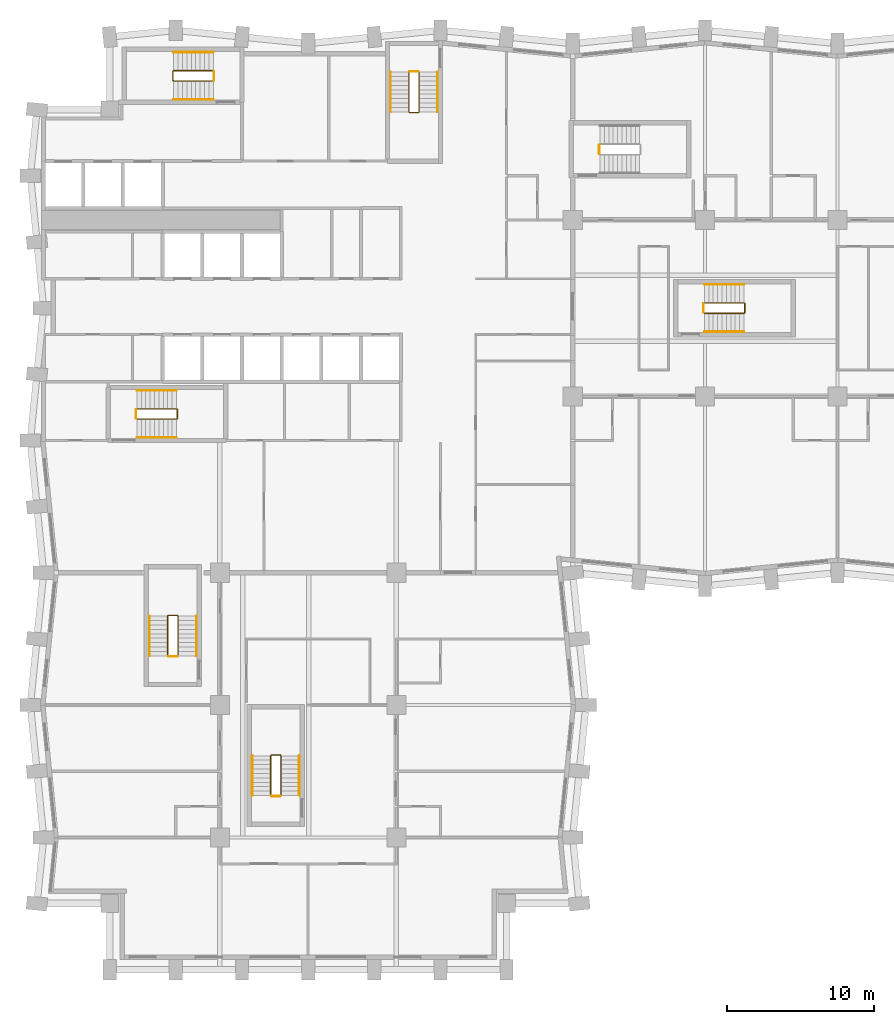
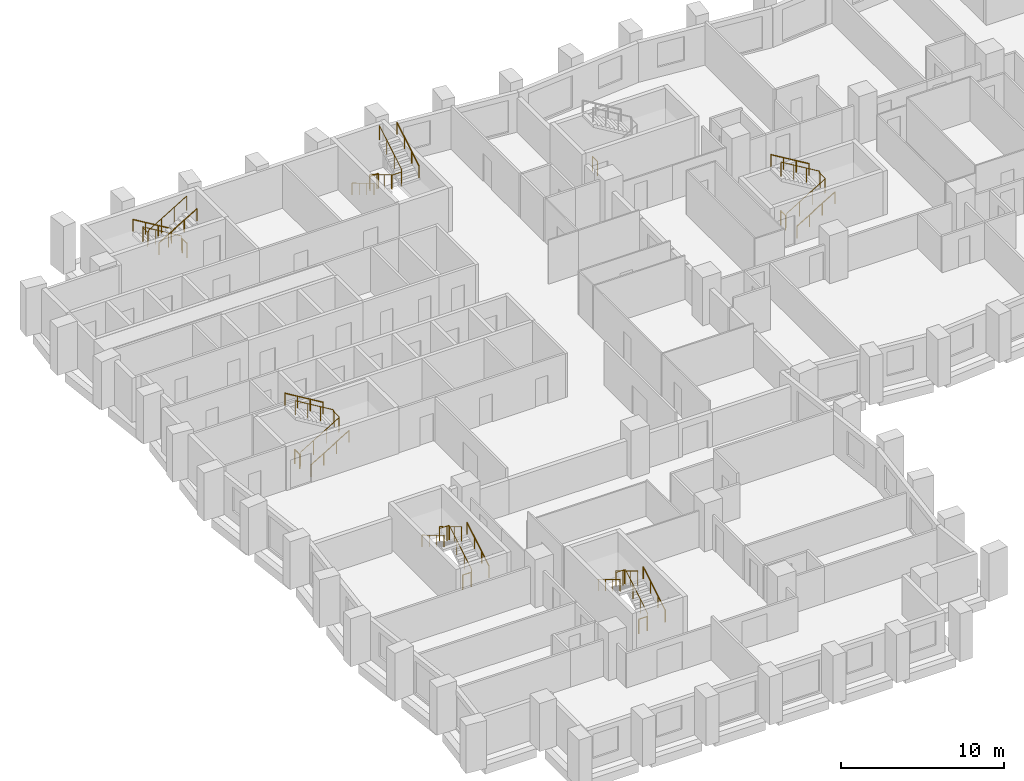
# One storey, part 11 of 12: 25 railings.
"""IFC4 building model written with IfcOpenShell, lengths in metres."""

from ifc_helpers import new_model, si_unit, direction, frame, origin, origin_2d, place, context, subcontext, project, spatial, circle, extrude, material, type_object, element, save


model = new_model("IFC4")

# Units and contexts
model_context = context("Model", 3, precision=1e-05, world=origin(), true_north=direction((0.0, 1.0)))
body_context = subcontext(model_context, "Body", "Model", "MODEL_VIEW")
ifc_project = project(units=[si_unit("LENGTHUNIT", "METRE"), si_unit("AREAUNIT", "SQUARE_METRE"), si_unit("VOLUMEUNIT", "CUBIC_METRE"), si_unit("PLANEANGLEUNIT", "RADIAN"), si_unit("MASSUNIT", "GRAM", prefix="KILO")], contexts=[model_context])

# Site, building, storey
site_placement = place(None, origin())
site = spatial("IfcSite", under=ifc_project, at=site_placement, CompositionType="ELEMENT")
building_placement = place(site_placement, origin())
building = spatial("IfcBuilding", under=site, at=building_placement, Name="Brondeck Convention Tower", CompositionType="ELEMENT")
storey_placement = place(building_placement, frame((0.0, 0.0, 59.10009765625)))
storey = spatial("IfcBuildingStorey", under=building, at=storey_placement, Name="L12", CompositionType="ELEMENT", Elevation=59.10009765625)

# Railings
ifc_material = material(Name="Steel S355", Category="steel")
railing_type_1 = type_object("IfcRailingType", Name="Stair guard 1100", PredefinedType="GUARDRAIL", material=ifc_material)
railing_1_placement = place(storey_placement, frame((6.35009765625, 37.449951171875, 0.179931640625)))
element("IfcRailing", 1, at=railing_1_placement, inside=storey, type_object=railing_type_1, Name="L12 ST-1 stair guard 1", PredefinedType="GUARDRAIL", context=body_context, shape_type="SweptSolid", body=[
    extrude(circle(Radius=0.02392578125, at=origin_2d()), frame((0.0, 0.0, 1.076171875), z_axis=(0.857506608807, 0.0, 0.514472949583), x_axis=(0.0, 1.0, 0.0)), (0.0, 0.0, 1.0), 3.148681640625),
    extrude(circle(Radius=0.02392578125, at=origin_2d()), frame((2.699951171875, 0.0, 2.69580078125), z_axis=(0.707106781187, 0.707106781187, 0.0), x_axis=(-0.707106781187, 0.707106781187, 0.0)), (0.0, 0.0, 1.0), 0.07080078125),
    extrude(circle(Radius=0.02392578125, at=origin_2d()), frame((2.75, 0.050048828125, 2.69580078125), z_axis=(0.0, 1.0, 0.0), x_axis=(-1.0, 0.0, 0.0)), (0.0, 0.0, 1.0), 0.60009765625),
    extrude(circle(Radius=0.02392578125, at=origin_2d()), frame((2.75, 0.650146484375, 2.69580078125), z_axis=(-0.258627984543, 0.257366384619, 0.931060744355), x_axis=(-0.705375805398, -0.708833529934, 0.0)), (0.0, 0.0, 1.0), 0.193603515625),
    extrude(circle(Radius=0.02392578125, at=origin_2d()), frame((2.699951171875, 0.699951171875, 2.8759765625), z_axis=(-0.857506608807, 0.0, 0.514472949583), x_axis=(0.0, -1.0, 0.0)), (0.0, 0.0, 1.0), 3.148681640625),
    extrude(circle(Radius=0.02099609375, at=origin_2d()), origin(), (0.0, 0.0, 1.0), 1.052001953125),
    extrude(circle(Radius=0.02099609375, at=origin_2d()), frame((0.89990234375, 0.0, 0.5400390625)), (0.0, 0.0, 1.0), 1.052001953125),
    extrude(circle(Radius=0.02099609375, at=origin_2d()), frame((1.800048828125, 0.0, 1.079833984375)), (0.0, 0.0, 1.0), 1.052001953125),
    extrude(circle(Radius=0.02099609375, at=origin_2d()), frame((2.699951171875, 0.0, 1.619873046875)), (0.0, 0.0, 1.0), 1.052001953125),
    extrude(circle(Radius=0.02099609375, at=origin_2d()), frame((2.75, 0.050048828125, 1.619873046875)), (0.0, 0.0, 1.0), 1.052001953125),
    extrude(circle(Radius=0.02099609375, at=origin_2d()), frame((2.75, 0.650146484375, 1.619873046875)), (0.0, 0.0, 1.0), 1.052001953125),
    extrude(circle(Radius=0.02099609375, at=origin_2d()), frame((2.699951171875, 0.699951171875, 1.800048828125)), (0.0, 0.0, 1.0), 1.052001953125),
    extrude(circle(Radius=0.02099609375, at=origin_2d()), frame((1.800048828125, 0.699951171875, 2.340087890625)), (0.0, 0.0, 1.0), 1.052001953125),
    extrude(circle(Radius=0.02099609375, at=origin_2d()), frame((0.89990234375, 0.699951171875, 2.8798828125)), (0.0, 0.0, 1.0), 1.052001953125),
    extrude(circle(Radius=0.02099609375, at=origin_2d()), frame((0.0, 0.699951171875, 3.419921875)), (0.0, 0.0, 1.0), 1.052001953125),
])
railing_2_placement = place(storey_placement, frame((6.300048828125, 37.5, 0.0)))
element("IfcRailing", 2, at=railing_2_placement, inside=storey, type_object=railing_type_1, Name="L12 ST-1 stair guard 2", PredefinedType="GUARDRAIL", context=body_context, shape_type="SweptSolid", body=[
    extrude(circle(Radius=0.02392578125, at=origin_2d()), frame((0.0, 0.0, 1.076171875), z_axis=(0.0, 1.0, 0.0), x_axis=(-1.0, 0.0, 0.0)), (0.0, 0.0, 1.0), 0.60009765625),
    extrude(circle(Radius=0.02099609375, at=origin_2d()), origin(), (0.0, 0.0, 1.0), 1.052001953125),
    extrude(circle(Radius=0.02099609375, at=origin_2d()), frame((0.0, 0.60009765625, 0.0)), (0.0, 0.0, 1.0), 1.052001953125),
])
railing_3_placement = place(storey_placement, frame((24.85009765625, 61.050048828125, 0.179931640625)))
element("IfcRailing", 3, at=railing_3_placement, inside=storey, type_object=railing_type_1, Name="L12 ST-2 stair guard 1", PredefinedType="GUARDRAIL", context=body_context, shape_type="SweptSolid", body=[
    extrude(circle(Radius=0.02392578125, at=origin_2d()), frame((0.0, 0.0, 1.076171875), z_axis=(0.0, -0.857506608807, 0.514472949583), x_axis=(1.0, 0.0, 0.0)), (0.0, 0.0, 1.0), 3.148681640625),
    extrude(circle(Radius=0.02392578125, at=origin_2d()), frame((0.0, -2.699951171875, 2.69580078125), z_axis=(0.705375805398, -0.708833529934, 0.0), x_axis=(0.708833529934, 0.705375805398, 0.0)), (0.0, 0.0, 1.0), 0.070556640625),
    extrude(circle(Radius=0.02392578125, at=origin_2d()), frame((0.0498046875, -2.75, 2.69580078125), z_axis=(1.0, 0.0, 0.0), x_axis=(0.0, 1.0, 0.0)), (0.0, 0.0, 1.0), 0.60009765625),
    extrude(circle(Radius=0.02392578125, at=origin_2d()), frame((0.64990234375, -2.75, 2.69580078125), z_axis=(0.258543844998, 0.258543844998, 0.930757841991), x_axis=(-0.707106781187, 0.707106781187, 0.0)), (0.0, 0.0, 1.0), 0.193603515625),
    extrude(circle(Radius=0.02392578125, at=origin_2d()), frame((0.699951171875, -2.699951171875, 2.8759765625), z_axis=(0.0, 0.857506608807, 0.514472949583), x_axis=(-1.0, 0.0, 0.0)), (0.0, 0.0, 1.0), 3.148681640625),
    extrude(circle(Radius=0.02099609375, at=origin_2d()), origin(), (0.0, 0.0, 1.0), 1.052001953125),
    extrude(circle(Radius=0.02099609375, at=origin_2d()), frame((0.0, -0.89990234375, 0.5400390625)), (0.0, 0.0, 1.0), 1.052001953125),
    extrude(circle(Radius=0.02099609375, at=origin_2d()), frame((0.0, -1.800048828125, 1.079833984375)), (0.0, 0.0, 1.0), 1.052001953125),
    extrude(circle(Radius=0.02099609375, at=origin_2d()), frame((0.0, -2.699951171875, 1.619873046875)), (0.0, 0.0, 1.0), 1.052001953125),
    extrude(circle(Radius=0.02099609375, at=origin_2d()), frame((0.0498046875, -2.75, 1.619873046875)), (0.0, 0.0, 1.0), 1.052001953125),
    extrude(circle(Radius=0.02099609375, at=origin_2d()), frame((0.64990234375, -2.75, 1.619873046875)), (0.0, 0.0, 1.0), 1.052001953125),
    extrude(circle(Radius=0.02099609375, at=origin_2d()), frame((0.699951171875, -2.699951171875, 1.800048828125)), (0.0, 0.0, 1.0), 1.052001953125),
    extrude(circle(Radius=0.02099609375, at=origin_2d()), frame((0.699951171875, -1.800048828125, 2.340087890625)), (0.0, 0.0, 1.0), 1.052001953125),
    extrude(circle(Radius=0.02099609375, at=origin_2d()), frame((0.699951171875, -0.89990234375, 2.8798828125)), (0.0, 0.0, 1.0), 1.052001953125),
    extrude(circle(Radius=0.02099609375, at=origin_2d()), frame((0.699951171875, 0.0, 3.419921875)), (0.0, 0.0, 1.0), 1.052001953125),
])
railing_4_placement = place(storey_placement, frame((24.89990234375, 61.10009765625, 0.0)))
element("IfcRailing", 4, at=railing_4_placement, inside=storey, type_object=railing_type_1, Name="L12 ST-2 stair guard 2", PredefinedType="GUARDRAIL", context=body_context, shape_type="SweptSolid", body=[
    extrude(circle(Radius=0.02392578125, at=origin_2d()), frame((0.0, 0.0, 1.076171875), z_axis=(1.0, 0.0, 0.0), x_axis=(0.0, 1.0, 0.0)), (0.0, 0.0, 1.0), 0.60009765625),
    extrude(circle(Radius=0.02099609375, at=origin_2d()), origin(), (0.0, 0.0, 1.0), 1.052001953125),
    extrude(circle(Radius=0.02099609375, at=origin_2d()), frame((0.60009765625, 0.0, 0.0)), (0.0, 0.0, 1.0), 1.052001953125),
])
railing_5_placement = place(storey_placement, frame((11.550048828125, 61.14990234375, 0.179931640625)))
element("IfcRailing", 5, at=railing_5_placement, inside=storey, type_object=railing_type_1, Name="L12 ST-3 stair guard 1", PredefinedType="GUARDRAIL", context=body_context, shape_type="SweptSolid", body=[
    extrude(circle(Radius=0.02392578125, at=origin_2d()), frame((0.0, 0.0, 1.076171875), z_axis=(-0.857506608807, 0.0, 0.514472949583), x_axis=(0.0, -1.0, 0.0)), (0.0, 0.0, 1.0), 3.148681640625),
    extrude(circle(Radius=0.02392578125, at=origin_2d()), frame((-2.699951171875, 0.0, 2.69580078125), z_axis=(-0.708833529934, -0.705375805398, 0.0), x_axis=(0.705375805398, -0.708833529934, 0.0)), (0.0, 0.0, 1.0), 0.070556640625),
    extrude(circle(Radius=0.02392578125, at=origin_2d()), frame((-2.75, -0.0498046875, 2.69580078125), z_axis=(0.0, -1.0, 0.0), x_axis=(1.0, 0.0, 0.0)), (0.0, 0.0, 1.0), 0.60009765625),
    extrude(circle(Radius=0.02392578125, at=origin_2d()), frame((-2.75, -0.64990234375, 2.69580078125), z_axis=(0.258543844998, -0.258543844998, 0.930757841991), x_axis=(0.707106781187, 0.707106781187, 0.0)), (0.0, 0.0, 1.0), 0.193603515625),
    extrude(circle(Radius=0.02392578125, at=origin_2d()), frame((-2.699951171875, -0.699951171875, 2.8759765625), z_axis=(0.857506608807, 0.0, 0.514472949583), x_axis=(0.0, 1.0, 0.0)), (0.0, 0.0, 1.0), 3.148681640625),
    extrude(circle(Radius=0.02099609375, at=origin_2d()), origin(), (0.0, 0.0, 1.0), 1.052001953125),
    extrude(circle(Radius=0.02099609375, at=origin_2d()), frame((-0.89990234375, 0.0, 0.5400390625)), (0.0, 0.0, 1.0), 1.052001953125),
    extrude(circle(Radius=0.02099609375, at=origin_2d()), frame((-1.800048828125, 0.0, 1.079833984375)), (0.0, 0.0, 1.0), 1.052001953125),
    extrude(circle(Radius=0.02099609375, at=origin_2d()), frame((-2.699951171875, 0.0, 1.619873046875)), (0.0, 0.0, 1.0), 1.052001953125),
    extrude(circle(Radius=0.02099609375, at=origin_2d()), frame((-2.75, -0.0498046875, 1.619873046875)), (0.0, 0.0, 1.0), 1.052001953125),
    extrude(circle(Radius=0.02099609375, at=origin_2d()), frame((-2.75, -0.64990234375, 1.619873046875)), (0.0, 0.0, 1.0), 1.052001953125),
    extrude(circle(Radius=0.02099609375, at=origin_2d()), frame((-2.699951171875, -0.699951171875, 1.800048828125)), (0.0, 0.0, 1.0), 1.052001953125),
    extrude(circle(Radius=0.02099609375, at=origin_2d()), frame((-1.800048828125, -0.699951171875, 2.340087890625)), (0.0, 0.0, 1.0), 1.052001953125),
    extrude(circle(Radius=0.02099609375, at=origin_2d()), frame((-0.89990234375, -0.699951171875, 2.8798828125)), (0.0, 0.0, 1.0), 1.052001953125),
    extrude(circle(Radius=0.02099609375, at=origin_2d()), frame((0.0, -0.699951171875, 3.419921875)), (0.0, 0.0, 1.0), 1.052001953125),
])
railing_6_placement = place(storey_placement, frame((11.60009765625, 61.10009765625, 0.0)))
element("IfcRailing", 6, at=railing_6_placement, inside=storey, type_object=railing_type_1, Name="L12 ST-3 stair guard 2", PredefinedType="GUARDRAIL", context=body_context, shape_type="SweptSolid", body=[
    extrude(circle(Radius=0.02392578125, at=origin_2d()), frame((0.0, 0.0, 1.076171875), z_axis=(0.0, -1.0, 0.0), x_axis=(1.0, 0.0, 0.0)), (0.0, 0.0, 1.0), 0.60009765625),
    extrude(circle(Radius=0.02099609375, at=origin_2d()), origin(), (0.0, 0.0, 1.0), 1.052001953125),
    extrude(circle(Radius=0.02099609375, at=origin_2d()), frame((0.0, -0.60009765625, 0.0)), (0.0, 0.0, 1.0), 1.052001953125),
])
railing_7_placement = place(storey_placement, frame((37.800048828125, 55.5, 0.0)))
element("IfcRailing", 7, at=railing_7_placement, inside=storey, type_object=railing_type_1, Name="L12 ST-AE stair guard 2", PredefinedType="GUARDRAIL", context=body_context, shape_type="SweptSolid", body=[
    extrude(circle(Radius=0.02392578125, at=origin_2d()), frame((0.0, 0.0, 1.076171875), z_axis=(0.0, 1.0, 0.0), x_axis=(-1.0, 0.0, 0.0)), (0.0, 0.0, 1.0), 0.60009765625),
    extrude(circle(Radius=0.02099609375, at=origin_2d()), origin(), (0.0, 0.0, 1.0), 1.052001953125),
    extrude(circle(Radius=0.02099609375, at=origin_2d()), frame((0.0, 0.60009765625, 0.0)), (0.0, 0.0, 1.0), 1.052001953125),
])
railing_8_placement = place(storey_placement, frame((9.14990234375, 21.35009765625, 0.179931640625)))
element("IfcRailing", 8, at=railing_8_placement, inside=storey, type_object=railing_type_1, Name="L12 ST-BE stair guard 1", PredefinedType="GUARDRAIL", context=body_context, shape_type="SweptSolid", body=[
    extrude(circle(Radius=0.02392578125, at=origin_2d()), frame((0.0, 0.0, 1.076171875), z_axis=(0.0, 0.857506608807, 0.514472949583), x_axis=(-1.0, 0.0, 0.0)), (0.0, 0.0, 1.0), 3.148681640625),
    extrude(circle(Radius=0.02392578125, at=origin_2d()), frame((0.0, 2.699951171875, 2.69580078125), z_axis=(-0.705375805398, 0.708833529934, 0.0), x_axis=(-0.708833529934, -0.705375805398, 0.0)), (0.0, 0.0, 1.0), 0.070556640625),
    extrude(circle(Radius=0.02392578125, at=origin_2d()), frame((-0.0498046875, 2.75, 2.69580078125), z_axis=(-1.0, 0.0, 0.0), x_axis=(0.0, -1.0, 0.0)), (0.0, 0.0, 1.0), 0.60009765625),
    extrude(circle(Radius=0.02392578125, at=origin_2d()), frame((-0.64990234375, 2.75, 2.69580078125), z_axis=(-0.258543844998, -0.258543844998, 0.930757841991), x_axis=(0.707106781187, -0.707106781187, 0.0)), (0.0, 0.0, 1.0), 0.193603515625),
    extrude(circle(Radius=0.02392578125, at=origin_2d()), frame((-0.699951171875, 2.699951171875, 2.8759765625), z_axis=(0.0, -0.857506608807, 0.514472949583), x_axis=(1.0, 0.0, 0.0)), (0.0, 0.0, 1.0), 3.148681640625),
    extrude(circle(Radius=0.02099609375, at=origin_2d()), origin(), (0.0, 0.0, 1.0), 1.052001953125),
    extrude(circle(Radius=0.02099609375, at=origin_2d()), frame((0.0, 0.89990234375, 0.5400390625)), (0.0, 0.0, 1.0), 1.052001953125),
    extrude(circle(Radius=0.02099609375, at=origin_2d()), frame((0.0, 1.800048828125, 1.079833984375)), (0.0, 0.0, 1.0), 1.052001953125),
    extrude(circle(Radius=0.02099609375, at=origin_2d()), frame((0.0, 2.699951171875, 1.619873046875)), (0.0, 0.0, 1.0), 1.052001953125),
    extrude(circle(Radius=0.02099609375, at=origin_2d()), frame((-0.0498046875, 2.75, 1.619873046875)), (0.0, 0.0, 1.0), 1.052001953125),
    extrude(circle(Radius=0.02099609375, at=origin_2d()), frame((-0.64990234375, 2.75, 1.619873046875)), (0.0, 0.0, 1.0), 1.052001953125),
    extrude(circle(Radius=0.02099609375, at=origin_2d()), frame((-0.699951171875, 2.699951171875, 1.800048828125)), (0.0, 0.0, 1.0), 1.052001953125),
    extrude(circle(Radius=0.02099609375, at=origin_2d()), frame((-0.699951171875, 1.800048828125, 2.340087890625)), (0.0, 0.0, 1.0), 1.052001953125),
    extrude(circle(Radius=0.02099609375, at=origin_2d()), frame((-0.699951171875, 0.89990234375, 2.8798828125)), (0.0, 0.0, 1.0), 1.052001953125),
    extrude(circle(Radius=0.02099609375, at=origin_2d()), frame((-0.699951171875, 0.0, 3.419921875)), (0.0, 0.0, 1.0), 1.052001953125),
])
railing_9_placement = place(storey_placement, frame((9.10009765625, 21.300048828125, 0.0)))
element("IfcRailing", 9, at=railing_9_placement, inside=storey, type_object=railing_type_1, Name="L12 ST-BE stair guard 2", PredefinedType="GUARDRAIL", context=body_context, shape_type="SweptSolid", body=[
    extrude(circle(Radius=0.02392578125, at=origin_2d()), frame((0.0, 0.0, 1.076171875), z_axis=(-1.0, 0.0, 0.0), x_axis=(0.0, -1.0, 0.0)), (0.0, 0.0, 1.0), 0.60009765625),
    extrude(circle(Radius=0.02099609375, at=origin_2d()), origin(), (0.0, 0.0, 1.0), 1.052001953125),
    extrude(circle(Radius=0.02099609375, at=origin_2d()), frame((-0.60009765625, 0.0, 0.0)), (0.0, 0.0, 1.0), 1.052001953125),
])
railing_10_placement = place(storey_placement, frame((44.949951171875, 44.64990234375, 0.179931640625)))
element("IfcRailing", 10, at=railing_10_placement, inside=storey, type_object=railing_type_1, Name="L12 ST-AF stair guard 1", PredefinedType="GUARDRAIL", context=body_context, shape_type="SweptSolid", body=[
    extrude(circle(Radius=0.02392578125, at=origin_2d()), frame((0.0, 0.0, 1.076171875), z_axis=(0.857506608807, 0.0, 0.514472949583), x_axis=(0.0, 1.0, 0.0)), (0.0, 0.0, 1.0), 3.148681640625),
    extrude(circle(Radius=0.02392578125, at=origin_2d()), frame((2.699951171875, 0.0, 2.69580078125), z_axis=(0.707106781187, 0.707106781187, 0.0), x_axis=(-0.707106781187, 0.707106781187, 0.0)), (0.0, 0.0, 1.0), 0.07080078125),
    extrude(circle(Radius=0.02392578125, at=origin_2d()), frame((2.75, 0.050048828125, 2.69580078125), z_axis=(0.0, 1.0, 0.0), x_axis=(-1.0, 0.0, 0.0)), (0.0, 0.0, 1.0), 0.60009765625),
    extrude(circle(Radius=0.02392578125, at=origin_2d()), frame((2.75, 0.650146484375, 2.69580078125), z_axis=(-0.258543844998, 0.258543844998, 0.930757841991), x_axis=(-0.707106781187, -0.707106781187, 0.0)), (0.0, 0.0, 1.0), 0.193603515625),
    extrude(circle(Radius=0.02392578125, at=origin_2d()), frame((2.699951171875, 0.7001953125, 2.8759765625), z_axis=(-0.857506608807, 0.0, 0.514472949583), x_axis=(0.0, -1.0, 0.0)), (0.0, 0.0, 1.0), 3.148681640625),
    extrude(circle(Radius=0.02099609375, at=origin_2d()), origin(), (0.0, 0.0, 1.0), 1.052001953125),
    extrude(circle(Radius=0.02099609375, at=origin_2d()), frame((0.89990234375, 0.0, 0.5400390625)), (0.0, 0.0, 1.0), 1.052001953125),
    extrude(circle(Radius=0.02099609375, at=origin_2d()), frame((1.800048828125, 0.0, 1.079833984375)), (0.0, 0.0, 1.0), 1.052001953125),
    extrude(circle(Radius=0.02099609375, at=origin_2d()), frame((2.699951171875, 0.0, 1.619873046875)), (0.0, 0.0, 1.0), 1.052001953125),
    extrude(circle(Radius=0.02099609375, at=origin_2d()), frame((2.75, 0.050048828125, 1.619873046875)), (0.0, 0.0, 1.0), 1.052001953125),
    extrude(circle(Radius=0.02099609375, at=origin_2d()), frame((2.75, 0.650146484375, 1.619873046875)), (0.0, 0.0, 1.0), 1.052001953125),
    extrude(circle(Radius=0.02099609375, at=origin_2d()), frame((2.699951171875, 0.7001953125, 1.800048828125)), (0.0, 0.0, 1.0), 1.052001953125),
    extrude(circle(Radius=0.02099609375, at=origin_2d()), frame((1.800048828125, 0.7001953125, 2.340087890625)), (0.0, 0.0, 1.0), 1.052001953125),
    extrude(circle(Radius=0.02099609375, at=origin_2d()), frame((0.89990234375, 0.7001953125, 2.8798828125)), (0.0, 0.0, 1.0), 1.052001953125),
    extrude(circle(Radius=0.02099609375, at=origin_2d()), frame((0.0, 0.7001953125, 3.419921875)), (0.0, 0.0, 1.0), 1.052001953125),
])
railing_11_placement = place(storey_placement, frame((44.89990234375, 44.699951171875, 0.0)))
element("IfcRailing", 11, at=railing_11_placement, inside=storey, type_object=railing_type_1, Name="L12 ST-AF stair guard 2", PredefinedType="GUARDRAIL", context=body_context, shape_type="SweptSolid", body=[
    extrude(circle(Radius=0.02392578125, at=origin_2d()), frame((0.0, 0.0, 1.076171875), z_axis=(0.0, 1.0, 0.0), x_axis=(-1.0, 0.0, 0.0)), (0.0, 0.0, 1.0), 0.60009765625),
    extrude(circle(Radius=0.02099609375, at=origin_2d()), origin(), (0.0, 0.0, 1.0), 1.052001953125),
    extrude(circle(Radius=0.02099609375, at=origin_2d()), frame((0.0, 0.60009765625, 0.0)), (0.0, 0.0, 1.0), 1.052001953125),
])
railing_12_placement = place(storey_placement, frame((16.14990234375, 11.85009765625, 0.179931640625)))
element("IfcRailing", 12, at=railing_12_placement, inside=storey, type_object=railing_type_1, Name="L12 ST-BF stair guard 1", PredefinedType="GUARDRAIL", context=body_context, shape_type="SweptSolid", body=[
    extrude(circle(Radius=0.02392578125, at=origin_2d()), frame((0.0, 0.0, 1.076171875), z_axis=(0.0, 0.857506608807, 0.514472949583), x_axis=(-1.0, 0.0, 0.0)), (0.0, 0.0, 1.0), 3.148681640625),
    extrude(circle(Radius=0.02392578125, at=origin_2d()), frame((0.0, 2.699951171875, 2.69580078125), z_axis=(-0.705375805398, 0.708833529934, 0.0), x_axis=(-0.708833529934, -0.705375805398, 0.0)), (0.0, 0.0, 1.0), 0.070556640625),
    extrude(circle(Radius=0.02392578125, at=origin_2d()), frame((-0.0498046875, 2.75, 2.69580078125), z_axis=(-1.0, 0.0, 0.0), x_axis=(0.0, -1.0, 0.0)), (0.0, 0.0, 1.0), 0.60009765625),
    extrude(circle(Radius=0.02392578125, at=origin_2d()), frame((-0.64990234375, 2.75, 2.69580078125), z_axis=(-0.258543844998, -0.258543844998, 0.930757841991), x_axis=(0.707106781187, -0.707106781187, 0.0)), (0.0, 0.0, 1.0), 0.193603515625),
    extrude(circle(Radius=0.02392578125, at=origin_2d()), frame((-0.699951171875, 2.699951171875, 2.8759765625), z_axis=(0.0, -0.857506608807, 0.514472949583), x_axis=(1.0, 0.0, 0.0)), (0.0, 0.0, 1.0), 3.148681640625),
    extrude(circle(Radius=0.02099609375, at=origin_2d()), origin(), (0.0, 0.0, 1.0), 1.052001953125),
    extrude(circle(Radius=0.02099609375, at=origin_2d()), frame((0.0, 0.89990234375, 0.5400390625)), (0.0, 0.0, 1.0), 1.052001953125),
    extrude(circle(Radius=0.02099609375, at=origin_2d()), frame((0.0, 1.800048828125, 1.079833984375)), (0.0, 0.0, 1.0), 1.052001953125),
    extrude(circle(Radius=0.02099609375, at=origin_2d()), frame((0.0, 2.699951171875, 1.619873046875)), (0.0, 0.0, 1.0), 1.052001953125),
    extrude(circle(Radius=0.02099609375, at=origin_2d()), frame((-0.0498046875, 2.75, 1.619873046875)), (0.0, 0.0, 1.0), 1.052001953125),
    extrude(circle(Radius=0.02099609375, at=origin_2d()), frame((-0.64990234375, 2.75, 1.619873046875)), (0.0, 0.0, 1.0), 1.052001953125),
    extrude(circle(Radius=0.02099609375, at=origin_2d()), frame((-0.699951171875, 2.699951171875, 1.800048828125)), (0.0, 0.0, 1.0), 1.052001953125),
    extrude(circle(Radius=0.02099609375, at=origin_2d()), frame((-0.699951171875, 1.800048828125, 2.340087890625)), (0.0, 0.0, 1.0), 1.052001953125),
    extrude(circle(Radius=0.02099609375, at=origin_2d()), frame((-0.699951171875, 0.89990234375, 2.8798828125)), (0.0, 0.0, 1.0), 1.052001953125),
    extrude(circle(Radius=0.02099609375, at=origin_2d()), frame((-0.699951171875, 0.0, 3.419921875)), (0.0, 0.0, 1.0), 1.052001953125),
])
railing_13_placement = place(storey_placement, frame((16.10009765625, 11.800048828125, 0.0)))
element("IfcRailing", 13, at=railing_13_placement, inside=storey, type_object=railing_type_1, Name="L12 ST-BF stair guard 2", PredefinedType="GUARDRAIL", context=body_context, shape_type="SweptSolid", body=[
    extrude(circle(Radius=0.02392578125, at=origin_2d()), frame((0.0, 0.0, 1.076171875), z_axis=(-1.0, 0.0, 0.0), x_axis=(0.0, -1.0, 0.0)), (0.0, 0.0, 1.0), 0.60009765625),
    extrude(circle(Radius=0.02099609375, at=origin_2d()), origin(), (0.0, 0.0, 1.0), 1.052001953125),
    extrude(circle(Radius=0.02099609375, at=origin_2d()), frame((-0.60009765625, 0.0, 0.0)), (0.0, 0.0, 1.0), 1.052001953125),
])
railing_type_2 = type_object("IfcRailingType", Name="Stair handrail", PredefinedType="HANDRAIL", material=ifc_material)
railing_14_placement = place(storey_placement, frame((6.35009765625, 36.199951171875, 0.179931640625)))
element("IfcRailing", 14, at=railing_14_placement, inside=storey, type_object=railing_type_2, Name="L12 ST-1 stair handrail 1", PredefinedType="HANDRAIL", context=body_context, shape_type="SweptSolid", body=[
    extrude(circle(Radius=0.02392578125, at=origin_2d()), frame((0.0, 0.0, 0.8759765625), z_axis=(0.857506608807, 0.0, 0.514472949583), x_axis=(0.0, 1.0, 0.0)), (0.0, 0.0, 1.0), 3.148681640625),
    extrude(circle(Radius=0.02099609375, at=origin_2d()), origin(), (0.0, 0.0, 1.0), 0.851806640625),
    extrude(circle(Radius=0.02099609375, at=origin_2d()), frame((0.89990234375, 0.0, 0.5400390625)), (0.0, 0.0, 1.0), 0.851806640625),
    extrude(circle(Radius=0.02099609375, at=origin_2d()), frame((1.800048828125, 0.0, 1.079833984375)), (0.0, 0.0, 1.0), 0.851806640625),
    extrude(circle(Radius=0.02099609375, at=origin_2d()), frame((2.699951171875, 0.0, 1.619873046875)), (0.0, 0.0, 1.0), 0.851806640625),
])
railing_15_placement = place(storey_placement, frame((9.050048828125, 39.39990234375, 1.97998046875)))
element("IfcRailing", 15, at=railing_15_placement, inside=storey, type_object=railing_type_2, Name="L12 ST-1 stair handrail 2", PredefinedType="HANDRAIL", context=body_context, shape_type="SweptSolid", body=[
    extrude(circle(Radius=0.02392578125, at=origin_2d()), frame((0.0, 0.0, 0.8759765625), z_axis=(-0.857506608807, 0.0, 0.514472949583), x_axis=(0.0, -1.0, 0.0)), (0.0, 0.0, 1.0), 3.148681640625),
    extrude(circle(Radius=0.02099609375, at=origin_2d()), origin(), (0.0, 0.0, 1.0), 0.851806640625),
    extrude(circle(Radius=0.02099609375, at=origin_2d()), frame((-0.89990234375, 0.0, 0.5400390625)), (0.0, 0.0, 1.0), 0.851806640625),
    extrude(circle(Radius=0.02099609375, at=origin_2d()), frame((-1.800048828125, 0.0, 1.079833984375)), (0.0, 0.0, 1.0), 0.851806640625),
    extrude(circle(Radius=0.02099609375, at=origin_2d()), frame((-2.699951171875, 0.0, 1.619873046875)), (0.0, 0.0, 1.0), 0.851806640625),
])
railing_16_placement = place(storey_placement, frame((23.60009765625, 61.050048828125, 0.179931640625)))
element("IfcRailing", 16, at=railing_16_placement, inside=storey, type_object=railing_type_2, Name="L12 ST-2 stair handrail 1", PredefinedType="HANDRAIL", context=body_context, shape_type="SweptSolid", body=[
    extrude(circle(Radius=0.02392578125, at=origin_2d()), frame((0.0, 0.0, 0.8759765625), z_axis=(0.0, -0.857506608807, 0.514472949583), x_axis=(1.0, 0.0, 0.0)), (0.0, 0.0, 1.0), 3.148681640625),
    extrude(circle(Radius=0.02099609375, at=origin_2d()), origin(), (0.0, 0.0, 1.0), 0.851806640625),
    extrude(circle(Radius=0.02099609375, at=origin_2d()), frame((0.0, -0.89990234375, 0.5400390625)), (0.0, 0.0, 1.0), 0.851806640625),
    extrude(circle(Radius=0.02099609375, at=origin_2d()), frame((0.0, -1.800048828125, 1.079833984375)), (0.0, 0.0, 1.0), 0.851806640625),
    extrude(circle(Radius=0.02099609375, at=origin_2d()), frame((0.0, -2.699951171875, 1.619873046875)), (0.0, 0.0, 1.0), 0.851806640625),
])
railing_17_placement = place(storey_placement, frame((26.800048828125, 58.35009765625, 1.97998046875)))
element("IfcRailing", 17, at=railing_17_placement, inside=storey, type_object=railing_type_2, Name="L12 ST-2 stair handrail 2", PredefinedType="HANDRAIL", context=body_context, shape_type="SweptSolid", body=[
    extrude(circle(Radius=0.02392578125, at=origin_2d()), frame((0.0, 0.0, 0.8759765625), z_axis=(0.0, 0.857506608807, 0.514472949583), x_axis=(-1.0, 0.0, 0.0)), (0.0, 0.0, 1.0), 3.148681640625),
    extrude(circle(Radius=0.02099609375, at=origin_2d()), origin(), (0.0, 0.0, 1.0), 0.851806640625),
    extrude(circle(Radius=0.02099609375, at=origin_2d()), frame((0.0, 0.89990234375, 0.5400390625)), (0.0, 0.0, 1.0), 0.851806640625),
    extrude(circle(Radius=0.02099609375, at=origin_2d()), frame((0.0, 1.800048828125, 1.079833984375)), (0.0, 0.0, 1.0), 0.851806640625),
    extrude(circle(Radius=0.02099609375, at=origin_2d()), frame((0.0, 2.699951171875, 1.619873046875)), (0.0, 0.0, 1.0), 0.851806640625),
])
railing_18_placement = place(storey_placement, frame((11.550048828125, 62.39990234375, 0.179931640625)))
element("IfcRailing", 18, at=railing_18_placement, inside=storey, type_object=railing_type_2, Name="L12 ST-3 stair handrail 1", PredefinedType="HANDRAIL", context=body_context, shape_type="SweptSolid", body=[
    extrude(circle(Radius=0.02392578125, at=origin_2d()), frame((0.0, 0.0, 0.8759765625), z_axis=(-0.857506608807, 0.0, 0.514472949583), x_axis=(0.0, -1.0, 0.0)), (0.0, 0.0, 1.0), 3.148681640625),
    extrude(circle(Radius=0.02099609375, at=origin_2d()), origin(), (0.0, 0.0, 1.0), 0.851806640625),
    extrude(circle(Radius=0.02099609375, at=origin_2d()), frame((-0.89990234375, 0.0, 0.5400390625)), (0.0, 0.0, 1.0), 0.851806640625),
    extrude(circle(Radius=0.02099609375, at=origin_2d()), frame((-1.800048828125, 0.0, 1.079833984375)), (0.0, 0.0, 1.0), 0.851806640625),
    extrude(circle(Radius=0.02099609375, at=origin_2d()), frame((-2.699951171875, 0.0, 1.619873046875)), (0.0, 0.0, 1.0), 0.851806640625),
])
railing_19_placement = place(storey_placement, frame((8.85009765625, 59.199951171875, 1.97998046875)))
element("IfcRailing", 19, at=railing_19_placement, inside=storey, type_object=railing_type_2, Name="L12 ST-3 stair handrail 2", PredefinedType="HANDRAIL", context=body_context, shape_type="SweptSolid", body=[
    extrude(circle(Radius=0.02392578125, at=origin_2d()), frame((0.0, 0.0, 0.8759765625), z_axis=(0.857506608807, 0.0, 0.514472949583), x_axis=(0.0, 1.0, 0.0)), (0.0, 0.0, 1.0), 3.148681640625),
    extrude(circle(Radius=0.02099609375, at=origin_2d()), origin(), (0.0, 0.0, 1.0), 0.851806640625),
    extrude(circle(Radius=0.02099609375, at=origin_2d()), frame((0.89990234375, 0.0, 0.5400390625)), (0.0, 0.0, 1.0), 0.851806640625),
    extrude(circle(Radius=0.02099609375, at=origin_2d()), frame((1.800048828125, 0.0, 1.079833984375)), (0.0, 0.0, 1.0), 0.851806640625),
    extrude(circle(Radius=0.02099609375, at=origin_2d()), frame((2.699951171875, 0.0, 1.619873046875)), (0.0, 0.0, 1.0), 0.851806640625),
])
railing_20_placement = place(storey_placement, frame((10.39990234375, 21.35009765625, 0.179931640625)))
element("IfcRailing", 20, at=railing_20_placement, inside=storey, type_object=railing_type_2, Name="L12 ST-BE stair handrail 1", PredefinedType="HANDRAIL", context=body_context, shape_type="SweptSolid", body=[
    extrude(circle(Radius=0.02392578125, at=origin_2d()), frame((0.0, 0.0, 0.8759765625), z_axis=(0.0, 0.857506608807, 0.514472949583), x_axis=(-1.0, 0.0, 0.0)), (0.0, 0.0, 1.0), 3.148681640625),
    extrude(circle(Radius=0.02099609375, at=origin_2d()), origin(), (0.0, 0.0, 1.0), 0.851806640625),
    extrude(circle(Radius=0.02099609375, at=origin_2d()), frame((0.0, 0.89990234375, 0.5400390625)), (0.0, 0.0, 1.0), 0.851806640625),
    extrude(circle(Radius=0.02099609375, at=origin_2d()), frame((0.0, 1.800048828125, 1.079833984375)), (0.0, 0.0, 1.0), 0.851806640625),
    extrude(circle(Radius=0.02099609375, at=origin_2d()), frame((0.0, 2.699951171875, 1.619873046875)), (0.0, 0.0, 1.0), 0.851806640625),
])
railing_21_placement = place(storey_placement, frame((7.199951171875, 24.050048828125, 1.97998046875)))
element("IfcRailing", 21, at=railing_21_placement, inside=storey, type_object=railing_type_2, Name="L12 ST-BE stair handrail 2", PredefinedType="HANDRAIL", context=body_context, shape_type="SweptSolid", body=[
    extrude(circle(Radius=0.02392578125, at=origin_2d()), frame((0.0, 0.0, 0.8759765625), z_axis=(0.0, -0.857506608807, 0.514472949583), x_axis=(1.0, 0.0, 0.0)), (0.0, 0.0, 1.0), 3.148681640625),
    extrude(circle(Radius=0.02099609375, at=origin_2d()), origin(), (0.0, 0.0, 1.0), 0.851806640625),
    extrude(circle(Radius=0.02099609375, at=origin_2d()), frame((0.0, -0.89990234375, 0.5400390625)), (0.0, 0.0, 1.0), 0.851806640625),
    extrude(circle(Radius=0.02099609375, at=origin_2d()), frame((0.0, -1.800048828125, 1.079833984375)), (0.0, 0.0, 1.0), 0.851806640625),
    extrude(circle(Radius=0.02099609375, at=origin_2d()), frame((0.0, -2.699951171875, 1.619873046875)), (0.0, 0.0, 1.0), 0.851806640625),
])
railing_22_placement = place(storey_placement, frame((44.949951171875, 43.39990234375, 0.179931640625)))
element("IfcRailing", 22, at=railing_22_placement, inside=storey, type_object=railing_type_2, Name="L12 ST-AF stair handrail 1", PredefinedType="HANDRAIL", context=body_context, shape_type="SweptSolid", body=[
    extrude(circle(Radius=0.02392578125, at=origin_2d()), frame((0.0, 0.0, 0.8759765625), z_axis=(0.857506608807, 0.0, 0.514472949583), x_axis=(0.0, 1.0, 0.0)), (0.0, 0.0, 1.0), 3.148681640625),
    extrude(circle(Radius=0.02099609375, at=origin_2d()), origin(), (0.0, 0.0, 1.0), 0.851806640625),
    extrude(circle(Radius=0.02099609375, at=origin_2d()), frame((0.89990234375, 0.0, 0.5400390625)), (0.0, 0.0, 1.0), 0.851806640625),
    extrude(circle(Radius=0.02099609375, at=origin_2d()), frame((1.800048828125, 0.0, 1.079833984375)), (0.0, 0.0, 1.0), 0.851806640625),
    extrude(circle(Radius=0.02099609375, at=origin_2d()), frame((2.699951171875, 0.0, 1.619873046875)), (0.0, 0.0, 1.0), 0.851806640625),
])
railing_23_placement = place(storey_placement, frame((47.64990234375, 46.60009765625, 1.97998046875)))
element("IfcRailing", 23, at=railing_23_placement, inside=storey, type_object=railing_type_2, Name="L12 ST-AF stair handrail 2", PredefinedType="HANDRAIL", context=body_context, shape_type="SweptSolid", body=[
    extrude(circle(Radius=0.02392578125, at=origin_2d()), frame((0.0, 0.0, 0.8759765625), z_axis=(-0.857506608807, 0.0, 0.514472949583), x_axis=(0.0, -1.0, 0.0)), (0.0, 0.0, 1.0), 3.148681640625),
    extrude(circle(Radius=0.02099609375, at=origin_2d()), origin(), (0.0, 0.0, 1.0), 0.851806640625),
    extrude(circle(Radius=0.02099609375, at=origin_2d()), frame((-0.89990234375, 0.0, 0.5400390625)), (0.0, 0.0, 1.0), 0.851806640625),
    extrude(circle(Radius=0.02099609375, at=origin_2d()), frame((-1.800048828125, 0.0, 1.079833984375)), (0.0, 0.0, 1.0), 0.851806640625),
    extrude(circle(Radius=0.02099609375, at=origin_2d()), frame((-2.699951171875, 0.0, 1.619873046875)), (0.0, 0.0, 1.0), 0.851806640625),
])
railing_24_placement = place(storey_placement, frame((17.39990234375, 11.85009765625, 0.179931640625)))
element("IfcRailing", 24, at=railing_24_placement, inside=storey, type_object=railing_type_2, Name="L12 ST-BF stair handrail 1", PredefinedType="HANDRAIL", context=body_context, shape_type="SweptSolid", body=[
    extrude(circle(Radius=0.02392578125, at=origin_2d()), frame((0.0, 0.0, 0.8759765625), z_axis=(0.0, 0.857506608807, 0.514472949583), x_axis=(-1.0, 0.0, 0.0)), (0.0, 0.0, 1.0), 3.148681640625),
    extrude(circle(Radius=0.02099609375, at=origin_2d()), origin(), (0.0, 0.0, 1.0), 0.851806640625),
    extrude(circle(Radius=0.02099609375, at=origin_2d()), frame((0.0, 0.89990234375, 0.5400390625)), (0.0, 0.0, 1.0), 0.851806640625),
    extrude(circle(Radius=0.02099609375, at=origin_2d()), frame((0.0, 1.800048828125, 1.079833984375)), (0.0, 0.0, 1.0), 0.851806640625),
    extrude(circle(Radius=0.02099609375, at=origin_2d()), frame((0.0, 2.699951171875, 1.619873046875)), (0.0, 0.0, 1.0), 0.851806640625),
])
railing_25_placement = place(storey_placement, frame((14.199951171875, 14.550048828125, 1.97998046875)))
element("IfcRailing", 25, at=railing_25_placement, inside=storey, type_object=railing_type_2, Name="L12 ST-BF stair handrail 2", PredefinedType="HANDRAIL", context=body_context, shape_type="SweptSolid", body=[
    extrude(circle(Radius=0.02392578125, at=origin_2d()), frame((0.0, 0.0, 0.8759765625), z_axis=(0.0, -0.857506608807, 0.514472949583), x_axis=(1.0, 0.0, 0.0)), (0.0, 0.0, 1.0), 3.148681640625),
    extrude(circle(Radius=0.02099609375, at=origin_2d()), origin(), (0.0, 0.0, 1.0), 0.851806640625),
    extrude(circle(Radius=0.02099609375, at=origin_2d()), frame((0.0, -0.89990234375, 0.5400390625)), (0.0, 0.0, 1.0), 0.851806640625),
    extrude(circle(Radius=0.02099609375, at=origin_2d()), frame((0.0, -1.800048828125, 1.079833984375)), (0.0, 0.0, 1.0), 0.851806640625),
    extrude(circle(Radius=0.02099609375, at=origin_2d()), frame((0.0, -2.699951171875, 1.619873046875)), (0.0, 0.0, 1.0), 0.851806640625),
])

save(model, "model.ifc")
